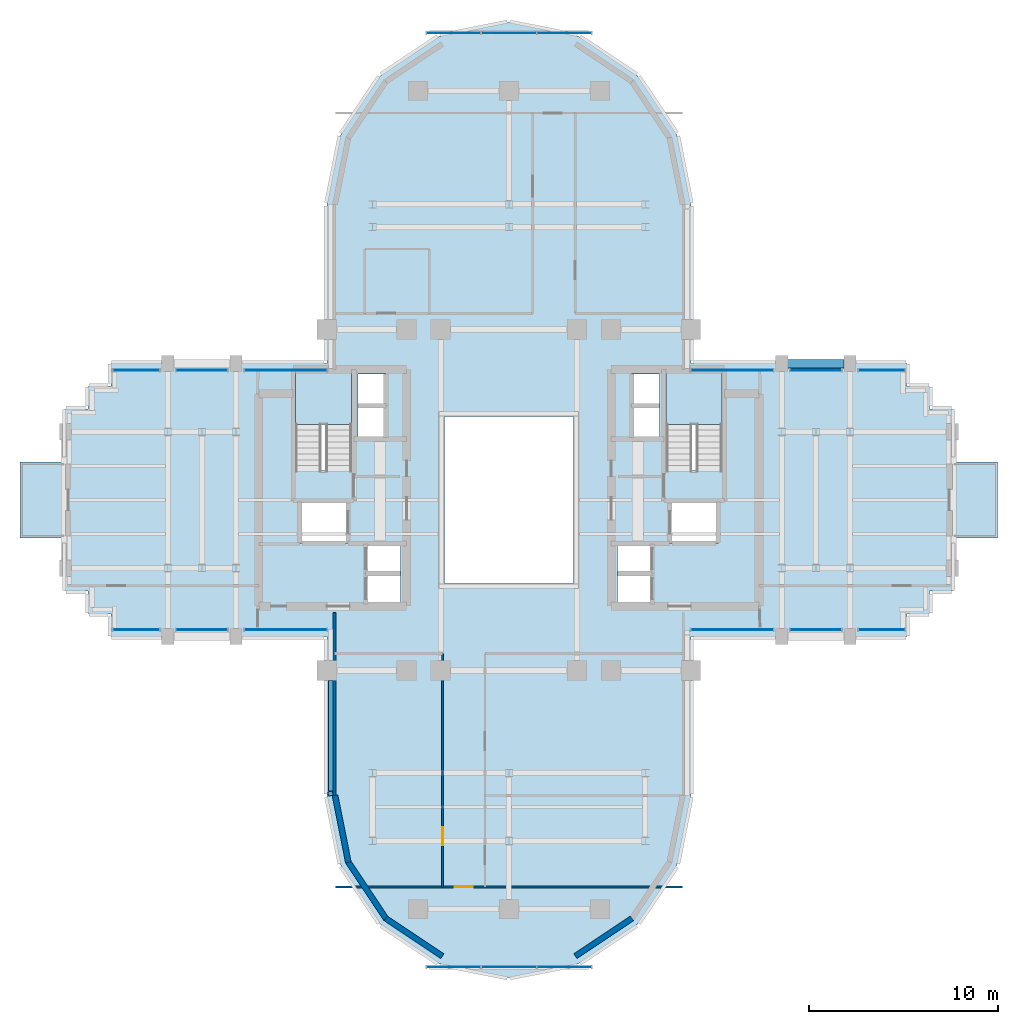
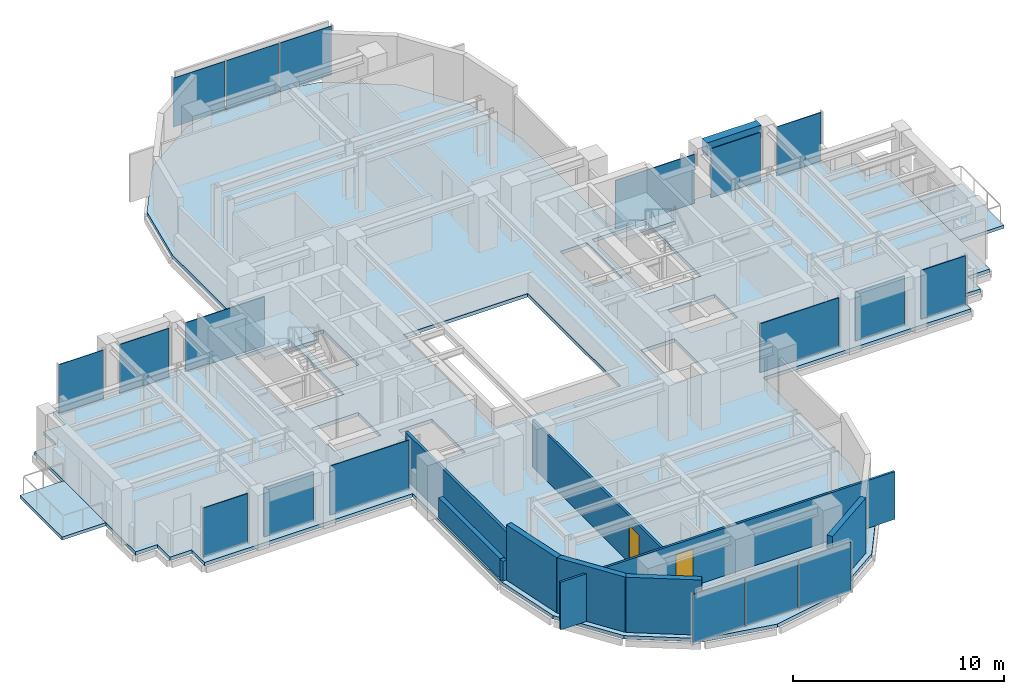
# One storey, part 7 of 13: 18 plates, 9 walls, 5 slabs, 2 doors, 1 beam, 2 openings, 16 elements without a shape of their own.
"""IFC4 building model written with IfcOpenShell, lengths in metres."""

from ifc_helpers import new_model, si_unit, direction, frame, frame_2d, origin, origin_2d, place, context, subcontext, project, spatial, polyline, rectangle, outline, extrude, source, transform, mapped, material, layer, layer_set, material_profile, profile_set, type_object, element, fill, aggregate, save


model = new_model("IFC4")

# Units and contexts
model_context = context("Model", 3, precision=1e-05, world=origin(), true_north=direction((0.0, 1.0)))
body_context = subcontext(model_context, "Body", "Model", "MODEL_VIEW")
ifc_project = project(units=[si_unit("LENGTHUNIT", "METRE"), si_unit("AREAUNIT", "SQUARE_METRE"), si_unit("VOLUMEUNIT", "CUBIC_METRE"), si_unit("PLANEANGLEUNIT", "RADIAN"), si_unit("MASSUNIT", "GRAM", prefix="KILO")], contexts=[model_context])

# Site, building, storey
site_placement = place(None, origin())
site = spatial("IfcSite", under=ifc_project, at=site_placement, CompositionType="ELEMENT")
building_placement = place(site_placement, origin())
building = spatial("IfcBuilding", under=site, at=building_placement, Name="Keilestroom Media Tower", CompositionType="ELEMENT")
storey_placement = place(building_placement, frame((0.0, 0.0, 104.0)))
storey = spatial("IfcBuildingStorey", under=building, at=storey_placement, Name="L27", CompositionType="ELEMENT", Elevation=104.0)

# Beam
ifc_material_1 = material(Name="Precast concrete C40/50", Category="concrete")
ifc_material_profile = material_profile(ifc_material_1, rectangle(XDim=0.449951171875, YDim=0.75, at=origin_2d()), Name="PC 450x750")
ifc_profile_set = profile_set([ifc_material_profile], Name="Precast concrete C40/50")
beam_type = type_object("IfcBeamType", Name="Perimeter-Spandrel-Beam-PC-450x750", PredefinedType="SPANDREL", material=ifc_profile_set)
shared_shape_1 = source(origin(), body_context, "Body", "SweptSolid", [
    extrude(rectangle(XDim=0.449951171875, YDim=0.75, at=origin_2d()), origin(), (0.0, 0.0, 1.0), 2.989990234375),
])
beam_placement = place(storey_placement, frame((14.705078125, 7.199951171875, 2.824951171875), z_axis=(1.0, 0.0, 0.0), x_axis=(0.0, 1.0, 0.0)))
element("IfcBeam", 1, at=beam_placement, inside=storey, type_object=beam_type, Name="L27 Beam SPB-1 BM-L27-EW-027", PredefinedType="SPANDREL", context=body_context, shape_type="MappedRepresentation", body=[
    mapped(shared_shape_1, transform((0.0, 0.0, 0.0), x_axis=(1.0, 0.0, 0.0), y_axis=(0.0, 1.0, 0.0), z_axis=(0.0, 0.0, 1.0), scale=1.0)),
])

# Slabs
ifc_material_2 = material(Name="Concrete C50/60", Category="concrete")
ifc_layer_1 = layer(ifc_material_2, 0.199951171875)
ifc_layer_set_1 = layer_set([ifc_layer_1], Name="Concrete C50/60")
slab_type_1 = type_object("IfcSlabType", Name="Composite-Floor-Slab-200", PredefinedType="FLOOR", material=ifc_layer_set_1)
slab_1_placement = place(storey_placement, frame((0.0, 0.0, -0.199951171875)))
element("IfcSlab", 2, at=slab_1_placement, inside=storey, type_object=slab_type_1, Name="L27 Structural Composite Floor Slab", PredefinedType="FLOOR", context=body_context, shape_type="SweptSolid", body=[
    extrude(outline(polyline([(23.39990234375, -4.800048828125), (23.39990234375, 4.800048828125), (22.199951171875, 4.800048828125), (22.199951171875, 6.0), (21.0, 6.0), (21.0, 7.199951171875), (9.60009765625, 7.199951171875), (9.60009765625, 9.60009765625), (9.60009765625, 15.60009765625), (8.869140625, 19.273681640625), (6.7880859375, 22.38818359375), (3.673828125, 24.46923828125), (0.0, 25.199951171875), (-3.673828125, 24.46923828125), (-6.7880859375, 22.38818359375), (-8.869140625, 19.273681640625), (-9.60009765625, 15.60009765625), (-9.60009765625, 9.60009765625), (-9.60009765625, 7.199951171875), (-21.0, 7.199951171875), (-21.0, 6.0), (-22.199951171875, 6.0), (-22.199951171875, 4.800048828125), (-23.39990234375, 4.800048828125), (-23.39990234375, -4.800048828125), (-22.199951171875, -4.800048828125), (-22.199951171875, -6.0), (-21.0, -6.0), (-21.0, -7.199951171875), (-9.60009765625, -7.199951171875), (-9.60009765625, -9.60009765625), (-9.60009765625, -15.60009765625), (-8.869140625, -19.273681640625), (-6.7880859375, -22.38818359375), (-3.673828125, -24.46923828125), (0.0, -25.199951171875), (3.673828125, -24.46923828125), (6.7880859375, -22.38818359375), (8.869140625, -19.273681640625), (9.60009765625, -15.60009765625), (9.60009765625, -9.60009765625), (9.60009765625, -7.199951171875), (21.0, -7.199951171875), (21.0, -6.0), (22.199951171875, -6.0), (22.199951171875, -4.800048828125), (23.39990234375, -4.800048828125)]), holes=[polyline([(-11.260009765625, 1.544921875), (-11.260009765625, 6.760009765625), (-8.300048828125, 6.760009765625), (-8.300048828125, 1.544921875), (-11.260009765625, 1.544921875)]), polyline([(-11.050048828125, -2.280029296875), (-11.050048828125, -0.10009765625), (-8.47998046875, -0.10009765625), (-8.47998046875, -2.280029296875), (-11.050048828125, -2.280029296875)]), polyline([(-7.949951171875, 3.300048828125), (-7.949951171875, 6.64990234375), (-6.47998046875, 6.64990234375), (-6.47998046875, 3.300048828125), (-7.949951171875, 3.300048828125)]), polyline([(-7.56005859375, -2.320068359375), (-5.719970703125, -2.320068359375), (-5.719970703125, -5.47998046875), (-7.56005859375, -5.47998046875), (-7.56005859375, -2.320068359375)]), polyline([(3.39990234375, -4.39990234375), (-3.39990234375, -4.39990234375), (-3.39990234375, 4.39990234375), (3.39990234375, 4.39990234375), (3.39990234375, -4.39990234375)]), polyline([(7.56005859375, -2.320068359375), (7.56005859375, -5.47998046875), (5.719970703125, -5.47998046875), (5.719970703125, -2.320068359375), (7.56005859375, -2.320068359375)]), polyline([(6.47998046875, 3.300048828125), (6.47998046875, 6.64990234375), (7.949951171875, 6.64990234375), (7.949951171875, 3.300048828125), (6.47998046875, 3.300048828125)]), polyline([(8.300048828125, 1.544921875), (8.300048828125, 6.760009765625), (11.260009765625, 6.760009765625), (11.260009765625, 1.544921875), (8.300048828125, 1.544921875)]), polyline([(8.47998046875, -2.280029296875), (8.47998046875, -0.10009765625), (11.050048828125, -0.10009765625), (11.050048828125, -2.280029296875), (8.47998046875, -2.280029296875)])]), origin(), (0.0, 0.0, 1.0), 0.199951171875),
])
ifc_material_3 = material(Name="Concrete C45/55", Category="concrete")
ifc_layer_2 = layer(ifc_material_3, 0.179931640625)
ifc_layer_set_2 = layer_set([ifc_layer_2], Name="Concrete C45/55")
slab_type_2 = type_object("IfcSlabType", Name="Exterior-Terrace-And-Sky-Garden-Slab-180", PredefinedType="FLOOR", material=ifc_layer_set_2)
slab_2_placement = place(storey_placement, frame((0.0, 0.0, -0.179931640625)))
element("IfcSlab", 3, at=slab_2_placement, inside=storey, type_object=slab_type_2, Name="L27 Winter-Garden Balcony Slab L27-BAL-W", PredefinedType="FLOOR", context=body_context, shape_type="SweptSolid", body=[
    extrude(outline(polyline([(-25.800048828125, -2.0), (-23.39990234375, -2.0), (-23.39990234375, 2.0), (-25.800048828125, 2.0), (-25.800048828125, -2.0)])), origin(), (0.0, 0.0, 1.0), 0.179931640625),
])
slab_3_placement = place(storey_placement, frame((0.0, 0.0, -0.179931640625)))
element("IfcSlab", 4, at=slab_3_placement, inside=storey, type_object=slab_type_2, Name="L27 Winter-Garden Balcony Slab L27-BAL-E", PredefinedType="FLOOR", context=body_context, shape_type="SweptSolid", body=[
    extrude(outline(polyline([(23.39990234375, -2.0), (25.800048828125, -2.0), (25.800048828125, 2.0), (23.39990234375, 2.0), (23.39990234375, -2.0)])), origin(), (0.0, 0.0, 1.0), 0.179931640625),
])

# Stair, slab
stair_type = type_object("IfcStairType", Name="Enclosed-Dog-Leg-Stair-ST-CORE", PredefinedType="HALF_TURN_STAIR", material=ifc_material_3)
stair_1_placement = place(storey_placement, origin())
stair_1 = element("IfcStair", 5, at=stair_1_placement, inside=storey, type_object=stair_type, Name="L27 West Core Escape Stair ST-1", PredefinedType="HALF_TURN_STAIR")
ifc_layer_3 = layer(ifc_material_3, 0.199951171875)
ifc_layer_set_3 = layer_set([ifc_layer_3], Name="Concrete C45/55")
slab_type_3 = type_object("IfcSlabType", Name="Stair-Intermediate-And-Top-Landing-Slab-200", PredefinedType="LANDING", material=ifc_layer_set_3)
slab_4_placement = place(storey_placement, frame((0.0, 0.0, 1.5)))
slab_4 = element("IfcSlab", 6, at=slab_4_placement, type_object=slab_type_3, Name="ST-1 landing 1", PredefinedType="LANDING", context=body_context, shape_type="SweptSolid", body=[
    extrude(outline(polyline([(-8.300048828125, 3.99609375), (-8.300048828125, 6.760009765625), (-11.260009765625, 6.760009765625), (-11.260009765625, 3.99609375), (-8.300048828125, 3.99609375)])), origin(), (0.0, 0.0, 1.0), 0.199951171875),
])
aggregate(stair_1, [slab_4])

stair_2_placement = place(storey_placement, origin())
stair_2 = element("IfcStair", 7, at=stair_2_placement, inside=storey, type_object=stair_type, Name="L27 East Core Escape Stair ST-2", PredefinedType="HALF_TURN_STAIR")
slab_5_placement = place(storey_placement, frame((0.0, 0.0, 1.5)))
slab_5 = element("IfcSlab", 8, at=slab_5_placement, type_object=slab_type_3, Name="ST-2 landing 1", PredefinedType="LANDING", context=body_context, shape_type="SweptSolid", body=[
    extrude(outline(polyline([(11.260009765625, 3.99609375), (11.260009765625, 6.760009765625), (8.300048828125, 6.760009765625), (8.300048828125, 3.99609375), (11.260009765625, 3.99609375)])), origin(), (0.0, 0.0, 1.0), 0.199951171875),
])
aggregate(stair_2, [slab_5])

# Curtain wall, plates
ifc_material_4 = material(Name="Anodised Aluminium Alloy", Category="aluminium")
curtain_wall_type_1 = type_object("IfcCurtainWallType", Name="Unitised-Curtain-Wall-CW-6", PredefinedType="NOTDEFINED", material=ifc_material_4)
curtain_wall_1_placement = place(storey_placement, origin())
curtain_wall_1 = element("IfcCurtainWall", 9, at=curtain_wall_1_placement, inside=storey, type_object=curtain_wall_type_1, Name="L27 Curtain Wall CW-6 CW-L27-LN-1", PredefinedType="NOTDEFINED")
ifc_material_5 = material(Name="Curved-Facet Triple Glazed Unit", Category="glass")
ifc_layer_4 = layer(ifc_material_5, 0.033935546875)
ifc_layer_set_4 = layer_set([ifc_layer_4], Name="Curved-Facet Triple Glazed Unit")
plate_type_1 = type_object("IfcPlateType", Name="Insulated-Curtain-Wall-Glazing-Panel-CW-6", PredefinedType="CURTAIN_PANEL", material=ifc_layer_set_4)
shared_shape_2 = source(origin(), body_context, "Body", "SweptSolid", [
    extrude(rectangle(XDim=2.84375, YDim=0.033935546875, at=origin_2d()), origin(), (0.0, 0.0, 1.0), 2.833984375),
])
plate_1_placement = place(storey_placement, frame((-2.9169921875, 24.64990234375, 0.072998046875), z_axis=(0.0, 0.0, 1.0), x_axis=(1.0, 0.0, 0.0)))
plate_1 = element("IfcPlate", 10, at=plate_1_placement, type_object=plate_type_1, Name="CW-6 Unitised Glazing 00", PredefinedType="CURTAIN_PANEL", context=body_context, shape_type="MappedRepresentation", body=[
    mapped(shared_shape_2, transform((0.0, 0.0, 0.0), x_axis=(1.0, 0.0, 0.0), y_axis=(0.0, 1.0, 0.0), z_axis=(0.0, 0.0, 1.0), scale=1.0)),
])
plate_2_placement = place(storey_placement, frame((2.9169921875, 24.64990234375, 0.072998046875), z_axis=(0.0, 0.0, 1.0), x_axis=(1.0, 0.0, 0.0)))
plate_2 = element("IfcPlate", 11, at=plate_2_placement, type_object=plate_type_1, Name="CW-6 Unitised Glazing 02", PredefinedType="CURTAIN_PANEL", context=body_context, shape_type="MappedRepresentation", body=[
    mapped(shared_shape_2, transform((0.0, 0.0, 0.0), x_axis=(1.0, 0.0, 0.0), y_axis=(0.0, 1.0, 0.0), z_axis=(0.0, 0.0, 1.0), scale=1.0)),
])

curtain_wall_2_placement = place(storey_placement, origin())
curtain_wall_2 = element("IfcCurtainWall", 12, at=curtain_wall_2_placement, inside=storey, type_object=curtain_wall_type_1, Name="L27 Curtain Wall CW-6 CW-L27-LS-1", PredefinedType="NOTDEFINED")
plate_3_placement = place(storey_placement, frame((-2.9169921875, -24.64990234375, 0.072998046875), z_axis=(0.0, 0.0, 1.0), x_axis=(1.0, 0.0, 0.0)))
plate_3 = element("IfcPlate", 13, at=plate_3_placement, type_object=plate_type_1, Name="CW-6 Unitised Glazing 00", PredefinedType="CURTAIN_PANEL", context=body_context, shape_type="MappedRepresentation", body=[
    mapped(shared_shape_2, transform((0.0, 0.0, 0.0), x_axis=(1.0, 0.0, 0.0), y_axis=(0.0, 1.0, 0.0), z_axis=(0.0, 0.0, 1.0), scale=1.0)),
])
plate_4_placement = place(storey_placement, frame((2.9169921875, -24.64990234375, 0.072998046875), z_axis=(0.0, 0.0, 1.0), x_axis=(1.0, 0.0, 0.0)))
plate_4 = element("IfcPlate", 14, at=plate_4_placement, type_object=plate_type_1, Name="CW-6 Unitised Glazing 02", PredefinedType="CURTAIN_PANEL", context=body_context, shape_type="MappedRepresentation", body=[
    mapped(shared_shape_2, transform((0.0, 0.0, 0.0), x_axis=(1.0, 0.0, 0.0), y_axis=(0.0, 1.0, 0.0), z_axis=(0.0, 0.0, 1.0), scale=1.0)),
])

# Plate
shared_shape_3 = source(origin(), body_context, "Body", "SweptSolid", [
    extrude(rectangle(XDim=2.876220703125, YDim=0.033935546875, at=origin_2d()), origin(), (0.0, 0.0, 1.0), 2.833984375),
])
plate_5_placement = place(storey_placement, frame((0.0, 24.64990234375, 0.072998046875), z_axis=(0.0, 0.0, 1.0), x_axis=(1.0, 0.0, 0.0)))
plate_5 = element("IfcPlate", 15, at=plate_5_placement, type_object=plate_type_1, Name="CW-6 Unitised Glazing 01", PredefinedType="CURTAIN_PANEL", context=body_context, shape_type="MappedRepresentation", body=[
    mapped(shared_shape_3, transform((0.0, 0.0, 0.0), x_axis=(1.0, 0.0, 0.0), y_axis=(0.0, 1.0, 0.0), z_axis=(0.0, 0.0, 1.0), scale=1.0)),
])

aggregate(curtain_wall_1, [plate_1, plate_5, plate_2])

plate_6_placement = place(storey_placement, frame((0.0, -24.64990234375, 0.072998046875), z_axis=(0.0, 0.0, 1.0), x_axis=(1.0, 0.0, 0.0)))
plate_6 = element("IfcPlate", 16, at=plate_6_placement, type_object=plate_type_1, Name="CW-6 Unitised Glazing 01", PredefinedType="CURTAIN_PANEL", context=body_context, shape_type="MappedRepresentation", body=[
    mapped(shared_shape_3, transform((0.0, 0.0, 0.0), x_axis=(1.0, 0.0, 0.0), y_axis=(0.0, 1.0, 0.0), z_axis=(0.0, 0.0, 1.0), scale=1.0)),
])

aggregate(curtain_wall_2, [plate_3, plate_6, plate_4])

# Curtain wall, plate
curtain_wall_type_2 = type_object("IfcCurtainWallType", Name="Unitised-Curtain-Wall-CW-2", PredefinedType="NOTDEFINED", material=ifc_material_4)
curtain_wall_3_placement = place(storey_placement, origin())
curtain_wall_3 = element("IfcCurtainWall", 17, at=curtain_wall_3_placement, inside=storey, type_object=curtain_wall_type_2, Name="L27 Curtain Wall CW-2 CW-L27-NW-1", PredefinedType="NOTDEFINED")
ifc_material_6 = material(Name="Double Glazed Low-E Unit", Category="glass")
ifc_layer_5 = layer(ifc_material_6, 0.0419921875)
ifc_layer_set_5 = layer_set([ifc_layer_5], Name="Double Glazed Low-E Unit")
plate_type_2 = type_object("IfcPlateType", Name="Insulated-Curtain-Wall-Glazing-Panel-CW-2", PredefinedType="CURTAIN_PANEL", material=ifc_layer_set_5)
shared_shape_4 = source(origin(), body_context, "Body", "SweptSolid", [
    extrude(rectangle(XDim=2.43310546875, YDim=0.0419921875, at=origin_2d()), origin(), (0.0, 0.0, 1.0), 2.833984375),
])
plate_7_placement = place(storey_placement, frame((-19.66748046875, 6.85009765625, 0.072998046875), z_axis=(0.0, 0.0, 1.0), x_axis=(1.0, 0.0, 0.0)))
plate_7 = element("IfcPlate", 18, at=plate_7_placement, type_object=plate_type_2, Name="CW-2 Unitised Glazing 00", PredefinedType="CURTAIN_PANEL", context=body_context, shape_type="MappedRepresentation", body=[
    mapped(shared_shape_4, transform((0.0, 0.0, 0.0), x_axis=(1.0, 0.0, 0.0), y_axis=(0.0, 1.0, 0.0), z_axis=(0.0, 0.0, 1.0), scale=1.0)),
])
aggregate(curtain_wall_3, [plate_7])

curtain_wall_4_placement = place(storey_placement, origin())
curtain_wall_4 = element("IfcCurtainWall", 19, at=curtain_wall_4_placement, inside=storey, type_object=curtain_wall_type_2, Name="L27 Curtain Wall CW-2 CW-L27-NE-3", PredefinedType="NOTDEFINED")
plate_8_placement = place(storey_placement, frame((19.66748046875, 6.85009765625, 0.072998046875), z_axis=(0.0, 0.0, 1.0), x_axis=(1.0, 0.0, 0.0)))
plate_8 = element("IfcPlate", 20, at=plate_8_placement, type_object=plate_type_2, Name="CW-2 Unitised Glazing 00", PredefinedType="CURTAIN_PANEL", context=body_context, shape_type="MappedRepresentation", body=[
    mapped(shared_shape_4, transform((0.0, 0.0, 0.0), x_axis=(1.0, 0.0, 0.0), y_axis=(0.0, 1.0, 0.0), z_axis=(0.0, 0.0, 1.0), scale=1.0)),
])
aggregate(curtain_wall_4, [plate_8])

curtain_wall_5_placement = place(storey_placement, origin())
curtain_wall_5 = element("IfcCurtainWall", 21, at=curtain_wall_5_placement, inside=storey, type_object=curtain_wall_type_2, Name="L27 Curtain Wall CW-2 CW-L27-SW-1", PredefinedType="NOTDEFINED")
plate_9_placement = place(storey_placement, frame((-19.66748046875, -6.85009765625, 0.072998046875), z_axis=(0.0, 0.0, 1.0), x_axis=(1.0, 0.0, 0.0)))
plate_9 = element("IfcPlate", 22, at=plate_9_placement, type_object=plate_type_2, Name="CW-2 Unitised Glazing 00", PredefinedType="CURTAIN_PANEL", context=body_context, shape_type="MappedRepresentation", body=[
    mapped(shared_shape_4, transform((0.0, 0.0, 0.0), x_axis=(1.0, 0.0, 0.0), y_axis=(0.0, 1.0, 0.0), z_axis=(0.0, 0.0, 1.0), scale=1.0)),
])
aggregate(curtain_wall_5, [plate_9])

curtain_wall_6_placement = place(storey_placement, origin())
curtain_wall_6 = element("IfcCurtainWall", 23, at=curtain_wall_6_placement, inside=storey, type_object=curtain_wall_type_2, Name="L27 Curtain Wall CW-2 CW-L27-SE-3", PredefinedType="NOTDEFINED")
plate_10_placement = place(storey_placement, frame((19.66748046875, -6.85009765625, 0.072998046875), z_axis=(0.0, 0.0, 1.0), x_axis=(1.0, 0.0, 0.0)))
plate_10 = element("IfcPlate", 24, at=plate_10_placement, type_object=plate_type_2, Name="CW-2 Unitised Glazing 00", PredefinedType="CURTAIN_PANEL", context=body_context, shape_type="MappedRepresentation", body=[
    mapped(shared_shape_4, transform((0.0, 0.0, 0.0), x_axis=(1.0, 0.0, 0.0), y_axis=(0.0, 1.0, 0.0), z_axis=(0.0, 0.0, 1.0), scale=1.0)),
])
aggregate(curtain_wall_6, [plate_10])

curtain_wall_7_placement = place(storey_placement, origin())
curtain_wall_7 = element("IfcCurtainWall", 25, at=curtain_wall_7_placement, inside=storey, type_object=curtain_wall_type_2, Name="L27 Curtain Wall CW-2 CW-L27-NW-2", PredefinedType="NOTDEFINED")
shared_shape_5 = source(origin(), body_context, "Body", "SweptSolid", [
    extrude(rectangle(XDim=2.697998046875, YDim=0.0419921875, at=origin_2d()), origin(), (0.0, 0.0, 1.0), 2.833984375),
])
plate_11_placement = place(storey_placement, frame((-16.199951171875, 6.85009765625, 0.072998046875), z_axis=(0.0, 0.0, 1.0), x_axis=(1.0, 0.0, 0.0)))
plate_11 = element("IfcPlate", 26, at=plate_11_placement, type_object=plate_type_2, Name="CW-2 Unitised Glazing 00", PredefinedType="CURTAIN_PANEL", context=body_context, shape_type="MappedRepresentation", body=[
    mapped(shared_shape_5, transform((0.0, 0.0, 0.0), x_axis=(1.0, 0.0, 0.0), y_axis=(0.0, 1.0, 0.0), z_axis=(0.0, 0.0, 1.0), scale=1.0)),
])
aggregate(curtain_wall_7, [plate_11])

curtain_wall_8_placement = place(storey_placement, origin())
curtain_wall_8 = element("IfcCurtainWall", 27, at=curtain_wall_8_placement, inside=storey, type_object=curtain_wall_type_2, Name="L27 Curtain Wall CW-2 CW-L27-NE-2", PredefinedType="NOTDEFINED")
plate_12_placement = place(storey_placement, frame((16.199951171875, 6.85009765625, 0.072998046875), z_axis=(0.0, 0.0, 1.0), x_axis=(1.0, 0.0, 0.0)))
plate_12 = element("IfcPlate", 28, at=plate_12_placement, type_object=plate_type_2, Name="CW-2 Unitised Glazing 00", PredefinedType="CURTAIN_PANEL", context=body_context, shape_type="MappedRepresentation", body=[
    mapped(shared_shape_5, transform((0.0, 0.0, 0.0), x_axis=(1.0, 0.0, 0.0), y_axis=(0.0, 1.0, 0.0), z_axis=(0.0, 0.0, 1.0), scale=1.0)),
])
aggregate(curtain_wall_8, [plate_12])

curtain_wall_9_placement = place(storey_placement, origin())
curtain_wall_9 = element("IfcCurtainWall", 29, at=curtain_wall_9_placement, inside=storey, type_object=curtain_wall_type_2, Name="L27 Curtain Wall CW-2 CW-L27-SW-2", PredefinedType="NOTDEFINED")
plate_13_placement = place(storey_placement, frame((-16.199951171875, -6.85009765625, 0.072998046875), z_axis=(0.0, 0.0, 1.0), x_axis=(1.0, 0.0, 0.0)))
plate_13 = element("IfcPlate", 30, at=plate_13_placement, type_object=plate_type_2, Name="CW-2 Unitised Glazing 00", PredefinedType="CURTAIN_PANEL", context=body_context, shape_type="MappedRepresentation", body=[
    mapped(shared_shape_5, transform((0.0, 0.0, 0.0), x_axis=(1.0, 0.0, 0.0), y_axis=(0.0, 1.0, 0.0), z_axis=(0.0, 0.0, 1.0), scale=1.0)),
])
aggregate(curtain_wall_9, [plate_13])

curtain_wall_10_placement = place(storey_placement, origin())
curtain_wall_10 = element("IfcCurtainWall", 31, at=curtain_wall_10_placement, inside=storey, type_object=curtain_wall_type_2, Name="L27 Curtain Wall CW-2 CW-L27-SE-2", PredefinedType="NOTDEFINED")
plate_14_placement = place(storey_placement, frame((16.199951171875, -6.85009765625, 0.072998046875), z_axis=(0.0, 0.0, 1.0), x_axis=(1.0, 0.0, 0.0)))
plate_14 = element("IfcPlate", 32, at=plate_14_placement, type_object=plate_type_2, Name="CW-2 Unitised Glazing 00", PredefinedType="CURTAIN_PANEL", context=body_context, shape_type="MappedRepresentation", body=[
    mapped(shared_shape_5, transform((0.0, 0.0, 0.0), x_axis=(1.0, 0.0, 0.0), y_axis=(0.0, 1.0, 0.0), z_axis=(0.0, 0.0, 1.0), scale=1.0)),
])
aggregate(curtain_wall_10, [plate_14])

curtain_wall_11_placement = place(storey_placement, origin())
curtain_wall_11 = element("IfcCurtainWall", 33, at=curtain_wall_11_placement, inside=storey, type_object=curtain_wall_type_2, Name="L27 Curtain Wall CW-2 CW-L27-NW-3", PredefinedType="NOTDEFINED")
shared_shape_6 = source(origin(), body_context, "Body", "SweptSolid", [
    extrude(rectangle(XDim=4.3330078125, YDim=0.0419921875, at=origin_2d()), origin(), (0.0, 0.0, 1.0), 2.833984375),
])
plate_15_placement = place(storey_placement, frame((-11.782470703125, 6.85009765625, 0.072998046875), z_axis=(0.0, 0.0, 1.0), x_axis=(1.0, 0.0, 0.0)))
plate_15 = element("IfcPlate", 34, at=plate_15_placement, type_object=plate_type_2, Name="CW-2 Unitised Glazing 00", PredefinedType="CURTAIN_PANEL", context=body_context, shape_type="MappedRepresentation", body=[
    mapped(shared_shape_6, transform((0.0, 0.0, 0.0), x_axis=(1.0, 0.0, 0.0), y_axis=(0.0, 1.0, 0.0), z_axis=(0.0, 0.0, 1.0), scale=1.0)),
])
aggregate(curtain_wall_11, [plate_15])

curtain_wall_12_placement = place(storey_placement, origin())
curtain_wall_12 = element("IfcCurtainWall", 35, at=curtain_wall_12_placement, inside=storey, type_object=curtain_wall_type_2, Name="L27 Curtain Wall CW-2 CW-L27-NE-1", PredefinedType="NOTDEFINED")
plate_16_placement = place(storey_placement, frame((11.782470703125, 6.85009765625, 0.072998046875), z_axis=(0.0, 0.0, 1.0), x_axis=(1.0, 0.0, 0.0)))
plate_16 = element("IfcPlate", 36, at=plate_16_placement, type_object=plate_type_2, Name="CW-2 Unitised Glazing 00", PredefinedType="CURTAIN_PANEL", context=body_context, shape_type="MappedRepresentation", body=[
    mapped(shared_shape_6, transform((0.0, 0.0, 0.0), x_axis=(1.0, 0.0, 0.0), y_axis=(0.0, 1.0, 0.0), z_axis=(0.0, 0.0, 1.0), scale=1.0)),
])
aggregate(curtain_wall_12, [plate_16])

curtain_wall_13_placement = place(storey_placement, origin())
curtain_wall_13 = element("IfcCurtainWall", 37, at=curtain_wall_13_placement, inside=storey, type_object=curtain_wall_type_2, Name="L27 Curtain Wall CW-2 CW-L27-SW-3", PredefinedType="NOTDEFINED")
plate_17_placement = place(storey_placement, frame((-11.782470703125, -6.85009765625, 0.072998046875), z_axis=(0.0, 0.0, 1.0), x_axis=(1.0, 0.0, 0.0)))
plate_17 = element("IfcPlate", 38, at=plate_17_placement, type_object=plate_type_2, Name="CW-2 Unitised Glazing 00", PredefinedType="CURTAIN_PANEL", context=body_context, shape_type="MappedRepresentation", body=[
    mapped(shared_shape_6, transform((0.0, 0.0, 0.0), x_axis=(1.0, 0.0, 0.0), y_axis=(0.0, 1.0, 0.0), z_axis=(0.0, 0.0, 1.0), scale=1.0)),
])
aggregate(curtain_wall_13, [plate_17])

curtain_wall_14_placement = place(storey_placement, origin())
curtain_wall_14 = element("IfcCurtainWall", 39, at=curtain_wall_14_placement, inside=storey, type_object=curtain_wall_type_2, Name="L27 Curtain Wall CW-2 CW-L27-SE-1", PredefinedType="NOTDEFINED")
plate_18_placement = place(storey_placement, frame((11.782470703125, -6.85009765625, 0.072998046875), z_axis=(0.0, 0.0, 1.0), x_axis=(1.0, 0.0, 0.0)))
plate_18 = element("IfcPlate", 40, at=plate_18_placement, type_object=plate_type_2, Name="CW-2 Unitised Glazing 00", PredefinedType="CURTAIN_PANEL", context=body_context, shape_type="MappedRepresentation", body=[
    mapped(shared_shape_6, transform((0.0, 0.0, 0.0), x_axis=(1.0, 0.0, 0.0), y_axis=(0.0, 1.0, 0.0), z_axis=(0.0, 0.0, 1.0), scale=1.0)),
])
aggregate(curtain_wall_14, [plate_18])

# Walls
ifc_layer_6 = layer(ifc_material_1, 0.300048828125)
ifc_layer_set_6 = layer_set([ifc_layer_6], Name="Precast concrete C40/50")
wall_type_1 = type_object("IfcWallType", Name="Exterior-Masonry-Spandrel-Wall-300", PredefinedType="SOLIDWALL", material=ifc_layer_set_6)
for number, where, z_axis, x_axis, name in (
    (41, (-9.1748046875, -15.585205078125, 0.0), (0.0, 0.0, 1.0), (0.195114232679, -0.980780523974, 0.0), "L27 Lobe Facet Precast Frame Wall 07"),
    (42, (-8.48193359375, -19.097412109375, 0.0), (0.0, 0.0, 1.0), (0.555574187116, -0.831466970246, 0.0), "L27 Lobe Facet Precast Frame Wall 08"),
):
    element("IfcWall", number, at=place(storey_placement, frame(where, z_axis=z_axis, x_axis=x_axis)), inside=storey, type_object=wall_type_1, Name=name, PredefinedType="SOLIDWALL", context=body_context, shape_type="SweptSolid", body=[
        extrude(rectangle(XDim=3.608642578125, YDim=0.300048828125, at=frame_2d((1.80419921875, 0.0))), origin(), (0.0, 0.0, 1.0), 3.199951171875),
    ])
for number, where, z_axis, x_axis, name in (
    (43, (-6.497802734375, -22.0771484375, 0.0), (0.0, 0.0, 1.0), (0.8314749531, -0.555562239868, 0.0), "L27 Lobe Facet Precast Frame Wall 09"),
    (44, (3.510009765625, -24.073486328125, 0.0), (0.0, 0.0, 1.0), (0.8314749531, 0.555562239868, 0.0), "L27 Lobe Facet Precast Frame Wall 10"),
):
    element("IfcWall", number, at=place(storey_placement, frame(where, z_axis=z_axis, x_axis=x_axis)), inside=storey, type_object=wall_type_1, Name=name, PredefinedType="SOLIDWALL", context=body_context, shape_type="SweptSolid", body=[
        extrude(rectangle(XDim=3.59326171875, YDim=0.300048828125, at=frame_2d((1.796630859375, 0.0))), origin(), (0.0, 0.0, 1.0), 3.199951171875),
    ])

# Wall, opening, door
ifc_material_7 = material(Name="Gypsum Plasterboard & Steel Stud", Category="steel")
ifc_layer_7 = layer(ifc_material_7, 0.1201171875)
ifc_layer_set_7 = layer_set([ifc_layer_7], Name="Gypsum Plasterboard & Steel Stud")
wall_type_2 = type_object("IfcWallType", Name="Interior-Partition-Wall-120", PredefinedType="PARTITIONING", material=ifc_layer_set_7)
wall_1_placement = place(storey_placement, frame((-3.5, -20.419921875, 0.0), z_axis=(0.0, 0.0, 1.0), x_axis=(0.0, 1.0, 0.0)))
wall_1 = element("IfcWall", 45, at=wall_1_placement, inside=storey, type_object=wall_type_2, Name="L27 Interior Wall WP-L27-SL-SPW", PredefinedType="PARTITIONING", context=body_context, shape_type="SweptSolid", body=[
    extrude(rectangle(XDim=12.31982421875, YDim=0.1201171875, at=frame_2d((6.159912109375, 0.0))), origin(), (0.0, 0.0, 1.0), 2.699951171875),
])
opening_1_placement = place(wall_1_placement, frame((2.199951171875, 0.0, 0.0)))
opening_1 = element("IfcOpeningElement", 46, at=opening_1_placement, cuts=wall_1, Name="Opening DI-03", PredefinedType="OPENING", context=body_context, shape_type="SweptSolid", body=[
    extrude(rectangle(XDim=0.949951171875, YDim=2.14990234375, at=frame_2d((0.47509765625, 1.074951171875))), frame((0.0, 0.070068359375, 0.0), z_axis=(0.0, -1.0, 0.0), x_axis=(1.0, 0.0, 0.0)), (0.0, 0.0, 1.0), 0.14013671875),
])
ifc_material_8 = material(Name="Lacquered European Oak Leaf", Category="wood")
door_type = type_object("IfcDoorType", Name="Interior-Room-And-Suite-Door-DI-03", OperationType="NOTDEFINED", PredefinedType="DOOR", material=ifc_material_8)
shared_shape_7 = source(origin(), body_context, "Body", "SweptSolid", [
    extrude(rectangle(XDim=0.949951171875, YDim=2.14990234375, at=frame_2d((0.47509765625, 1.074951171875))), frame((0.0, 0.02490234375, 0.0), z_axis=(0.0, -1.0, 0.0), x_axis=(1.0, 0.0, 0.0)), (0.0, 0.0, 1.0), 0.050048828125),
])
door_1_placement = place(opening_1_placement, origin())
door_1 = element("IfcDoor", 47, at=door_1_placement, inside=storey, type_object=door_type, Name="L27 Interior Door DI-L27-DSL-W1", OperationType="SINGLE_SWING_LEFT", OverallHeight=2.14990234375, OverallWidth=0.949951171875, PredefinedType="DOOR", context=body_context, shape_type="MappedRepresentation", body=[
    mapped(shared_shape_7, transform((0.0, 0.0, 0.0), x_axis=(1.0, 0.0, 0.0), y_axis=(0.0, 1.0, 0.0), z_axis=(0.0, 0.0, 1.0), scale=1.0)),
])
fill(opening_1, door_1)

wall_2_placement = place(storey_placement, frame((-9.159912109375, -20.419921875, 0.0), z_axis=(0.0, 0.0, 1.0), x_axis=(1.0, 0.0, 0.0)))
wall_2 = element("IfcWall", 48, at=wall_2_placement, inside=storey, type_object=wall_type_2, Name="L27 Interior Wall WP-L27-SL-STIPW", PredefinedType="PARTITIONING", context=body_context, shape_type="SweptSolid", body=[
    extrude(rectangle(XDim=18.31982421875, YDim=0.1201171875, at=frame_2d((9.159912109375, 0.0))), origin(), (0.0, 0.0, 1.0), 2.760009765625),
])
opening_2_placement = place(wall_2_placement, frame((6.31005859375, 0.0, 0.0)))
opening_2 = element("IfcOpeningElement", 49, at=opening_2_placement, cuts=wall_2, Name="Opening DI-03", PredefinedType="OPENING", context=body_context, shape_type="SweptSolid", body=[
    extrude(rectangle(XDim=0.949951171875, YDim=2.14990234375, at=frame_2d((0.47509765625, 1.074951171875))), frame((0.0, 0.070068359375, 0.0), z_axis=(0.0, -1.0, 0.0), x_axis=(1.0, 0.0, 0.0)), (0.0, 0.0, 1.0), 0.14013671875),
])
door_2_placement = place(opening_2_placement, origin())
door_2 = element("IfcDoor", 50, at=door_2_placement, inside=storey, type_object=door_type, Name="L27 Interior Door DI-L27-DSL-TIP", OperationType="SINGLE_SWING_RIGHT", OverallHeight=2.14990234375, OverallWidth=0.949951171875, PredefinedType="DOOR", context=body_context, shape_type="MappedRepresentation", body=[
    mapped(shared_shape_7, transform((0.0, 0.0, 0.0), x_axis=(1.0, 0.0, 0.0), y_axis=(0.0, 1.0, 0.0), z_axis=(0.0, 0.0, 1.0), scale=1.0)),
])
fill(opening_2, door_2)

# Walls
ifc_layer_8 = layer(ifc_material_7, 0.14990234375)
ifc_layer_set_8 = layer_set([ifc_layer_8], Name="Gypsum Plasterboard & Steel Stud")
wall_type_3 = type_object("IfcWallType", Name="Interior-Partition-Wall-150", PredefinedType="PARTITIONING", material=ifc_layer_set_8)
wall_3_placement = place(storey_placement, frame((-9.199951171875, -15.679931640625, 0.0), z_axis=(0.0, 0.0, 1.0), x_axis=(0.0, 1.0, 0.0)))
element("IfcWall", 51, at=wall_3_placement, inside=storey, type_object=wall_type_3, Name="L27 Interior Wall WP-L27-SL-CHKW", PredefinedType="PARTITIONING", context=body_context, shape_type="SweptSolid", body=[
    extrude(rectangle(XDim=9.739990234375, YDim=0.14990234375, at=frame_2d((4.8701171875, 0.0))), origin(), (0.0, 0.0, 1.0), 2.699951171875),
])
ifc_layer_9 = layer(ifc_material_1, 0.239990234375)
ifc_layer_set_9 = layer_set([ifc_layer_9], Name="Precast concrete C40/50")
wall_type_4 = type_object("IfcWallType", Name="Roof-And-Terrace-Parapet-Wall-240", PredefinedType="PARAPET", material=ifc_layer_set_9)
wall_4_placement = place(storey_placement, frame((-9.395263671875, -15.604248046875, 0.0), z_axis=(0.0, 0.0, 1.0), x_axis=(-0.194652052864, 0.980872355771, 0.0)))
element("IfcWall", 52, at=wall_4_placement, inside=storey, type_object=wall_type_4, Name="L27 Perimeter Edge Parapet Wall 07", PredefinedType="PARAPET", context=body_context, shape_type="SweptSolid", body=[
    extrude(rectangle(XDim=0.224609375, YDim=0.239990234375, at=frame_2d((0.1123046875, 0.0))), origin(), (0.0, 0.0, 1.0), 1.14990234375),
])
wall_5_placement = place(storey_placement, frame((-9.39990234375, -15.357666015625, 0.0), z_axis=(0.0, 0.0, 1.0), x_axis=(0.0, 1.0, 0.0)))
element("IfcWall", 53, at=wall_5_placement, inside=storey, type_object=wall_type_4, Name="L27 Perimeter Edge Parapet Wall 08", PredefinedType="PARAPET", context=body_context, shape_type="SweptSolid", body=[
    extrude(rectangle(XDim=5.82958984375, YDim=0.239990234375, at=frame_2d((2.914794921875, 0.0))), origin(), (0.0, 0.0, 1.0), 1.14990234375),
])

save(model, "model.ifc")
